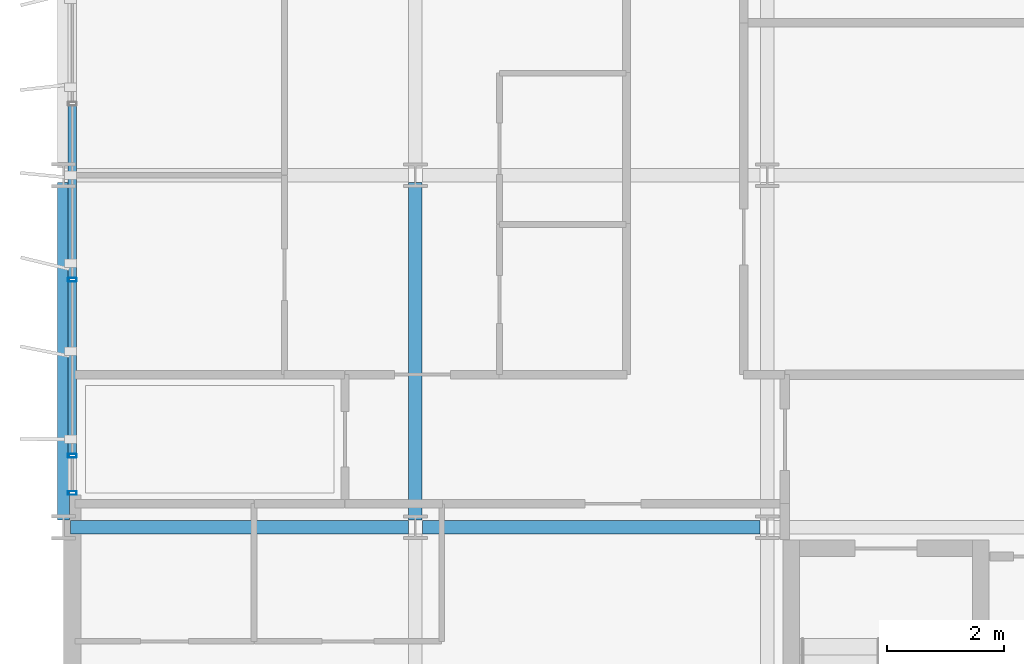
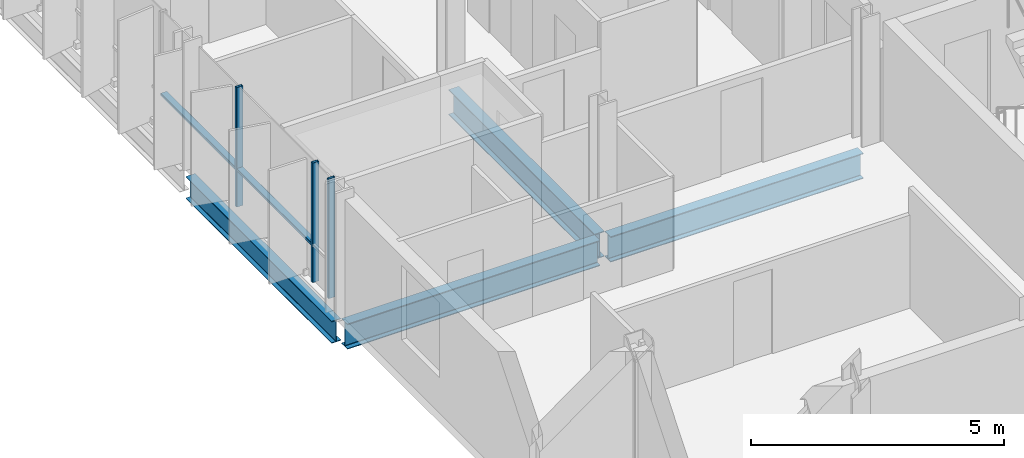
# One storey, part 2 of 38: 5 members, 4 beams, 1 element without a shape of its own.
"""IFC4 building model written with IfcOpenShell, lengths in metres."""

from ifc_helpers import new_model, si_unit, direction, frame, origin, origin_2d, place, context, subcontext, project, spatial, hollow_rectangle, i_section, extrude, material, layer, layer_set, material_profile, profile_set, type_object, element, aggregate, save


model = new_model("IFC4")

# Units and contexts
model_context = context("Model", 3, precision=1e-05, world=origin(), true_north=direction((0.0, 1.0)))
body_context = subcontext(model_context, "Body", "Model", "MODEL_VIEW")
ifc_project = project(units=[si_unit("LENGTHUNIT", "METRE"), si_unit("AREAUNIT", "SQUARE_METRE"), si_unit("VOLUMEUNIT", "CUBIC_METRE"), si_unit("PLANEANGLEUNIT", "RADIAN"), si_unit("MASSUNIT", "GRAM", prefix="KILO")], contexts=[model_context])

# Site, building, storey
site_placement = place(None, origin())
site = spatial("IfcSite", under=ifc_project, at=site_placement, CompositionType="ELEMENT")
building_placement = place(site_placement, origin())
building = spatial("IfcBuilding", under=site, at=building_placement, Name="Brevholm Reach", CompositionType="ELEMENT")
storey_placement = place(building_placement, frame((0.0, 0.0, 122.10009765625)))
storey = spatial("IfcBuildingStorey", under=building, at=storey_placement, Name="L36", CompositionType="ELEMENT", Elevation=122.10009765625)

# Beams
ifc_material_1 = material(Name="Structural Steel S355J2", Category="steel")
ifc_material_profile_1 = material_profile(ifc_material_1, i_section(OverallWidth=0.209228515625, OverallDepth=0.533203125, WebThickness=0.010009765625, FlangeThickness=0.015625, FilletRadius=0.0126953125, at=origin_2d()), Name="UKB 533x210x92")
ifc_profile_set_1 = profile_set([ifc_material_profile_1], Name="Structural Steel S355J2")
beam_type_1 = type_object("IfcBeamType", Name="BM-SP533", PredefinedType="SPANDREL", material=ifc_profile_set_1)
beam_placement = place(storey_placement, frame((0.0, 10.1201171875, -0.486572265625), z_axis=(0.0, 1.0, 0.0), x_axis=(-1.0, 0.0, 0.0)))
element("IfcBeam", 1, at=beam_placement, inside=storey, type_object=beam_type_1, Name="L36 SP-02 Framing Beam", PredefinedType="SPANDREL", context=body_context, shape_type="SweptSolid", body=[
    extrude(i_section(OverallWidth=0.209228515625, OverallDepth=0.533203125, WebThickness=0.010009765625, FlangeThickness=0.015625, FilletRadius=0.0126953125, at=origin_2d()), origin(), (0.0, 0.0, 1.0), 5.759765625),
])
ifc_material_2 = material(Name="Structural Steel S355J2", Category="steel")
ifc_material_profile_2 = material_profile(ifc_material_2, i_section(OverallWidth=0.22900390625, OverallDepth=0.6123046875, WebThickness=0.011962890625, FlangeThickness=0.01953125, FilletRadius=0.0126953125, at=origin_2d()), Name="UKB 610x229x125")
ifc_profile_set_2 = profile_set([ifc_material_profile_2], Name="Structural Steel S355J2")
beam_type_2 = type_object("IfcBeamType", Name="BM-SP610", PredefinedType="SPANDREL", material=ifc_profile_set_2)
for number, where, z_axis, x_axis, name in (
    (2, (0.1201171875, 10.0, -0.526123046875), (1.0, 0.0, 0.0), (0.0, 1.0, 0.0), "L36 SP-01 Framing Beam"),
    (3, (6.1201171875, 10.0, -0.526123046875), (1.0, 0.0, 0.0), (0.0, 1.0, 0.0), "L36 SP-01 Framing Beam"),
    (4, (6.0, 10.1201171875, -0.526123046875), (0.0, 1.0, 0.0), (-1.0, 0.0, 0.0), "L36 SP-01 Framing Beam"),
):
    element("IfcBeam", number, at=place(storey_placement, frame(where, z_axis=z_axis, x_axis=x_axis)), inside=storey, type_object=beam_type_2, Name=name, PredefinedType="SPANDREL", context=body_context, shape_type="SweptSolid", body=[
        extrude(i_section(OverallWidth=0.22900390625, OverallDepth=0.6123046875, WebThickness=0.011962890625, FlangeThickness=0.01953125, FilletRadius=0.0126953125, at=origin_2d()), origin(), (0.0, 0.0, 1.0), 5.759765625),
    ])

# Curtain wall, members
ifc_material_3 = material(Name="Dark Anodised Aluminium 6063-T6 and Solar-Control Glass", Category="aluminium")
ifc_layer = layer(ifc_material_3, 0.14990234375)
ifc_layer_set = layer_set([ifc_layer], Name="Dark Anodised Aluminium 6063-T6 and Solar-Control Glass")
curtain_wall_type = type_object("IfcCurtainWallType", Name="CW-01", PredefinedType="NOTDEFINED", material=ifc_layer_set)
curtain_wall_placement = place(storey_placement, origin())
curtain_wall = element("IfcCurtainWall", 5, at=curtain_wall_placement, inside=storey, type_object=curtain_wall_type, Name="L36 Curtain Wall CW-01", PredefinedType="NOTDEFINED")
ifc_material_4 = material(Name="Dark Anodised Aluminium 6063-T6", Category="aluminium")
ifc_material_profile_3 = material_profile(ifc_material_4, hollow_rectangle(XDim=0.06494140625, YDim=0.14990234375, WallThickness=0.0048828125, InnerFilletRadius=0.0048828125, OuterFilletRadius=0.010009765625, at=origin_2d()), Name="RHS 150x65x5")
ifc_profile_set_3 = profile_set([ifc_material_profile_3], Name="Dark Anodised Aluminium 6063-T6")
member_type_1 = type_object("IfcMemberType", Name="CWM-150", PredefinedType="MULLION", material=ifc_profile_set_3)
member_1_placement = place(storey_placement, frame((0.14990234375, 14.219970703125, 0.0), z_axis=(0.0, 0.0, 1.0), x_axis=(0.0, -1.0, 0.0)))
member_1 = element("IfcMember", 6, at=member_1_placement, type_object=member_type_1, Name="CM-150 Mullion 4", PredefinedType="MULLION", context=body_context, shape_type="SweptSolid", body=[
    extrude(hollow_rectangle(XDim=0.06494140625, YDim=0.14990234375, WallThickness=0.0048828125, InnerFilletRadius=0.0048828125, OuterFilletRadius=0.010009765625, at=origin_2d()), origin(), (0.0, 0.0, 1.0), 2.8798828125),
])
member_2_placement = place(storey_placement, frame((0.14990234375, 11.219970703125, 0.0), z_axis=(0.0, 0.0, 1.0), x_axis=(0.0, -1.0, 0.0)))
member_2 = element("IfcMember", 7, at=member_2_placement, type_object=member_type_1, Name="CM-150 Mullion 5", PredefinedType="MULLION", context=body_context, shape_type="SweptSolid", body=[
    extrude(hollow_rectangle(XDim=0.06494140625, YDim=0.14990234375, WallThickness=0.0048828125, InnerFilletRadius=0.0048828125, OuterFilletRadius=0.010009765625, at=origin_2d()), origin(), (0.0, 0.0, 1.0), 2.8798828125),
])
member_3_placement = place(storey_placement, frame((0.14990234375, 10.58251953125, 0.0), z_axis=(0.0, 0.0, 1.0), x_axis=(0.0, -1.0, 0.0)))
member_3 = element("IfcMember", 8, at=member_3_placement, type_object=member_type_1, Name="CM-150 Mullion 6", PredefinedType="MULLION", context=body_context, shape_type="SweptSolid", body=[
    extrude(hollow_rectangle(XDim=0.06494140625, YDim=0.14990234375, WallThickness=0.0048828125, InnerFilletRadius=0.0048828125, OuterFilletRadius=0.010009765625, at=origin_2d()), origin(), (0.0, 0.0, 1.0), 2.8798828125),
])
ifc_material_5 = material(Name="Dark Anodised Aluminium 6063-T6", Category="aluminium")
ifc_material_profile_4 = material_profile(ifc_material_5, hollow_rectangle(XDim=0.06494140625, YDim=0.14990234375, WallThickness=0.0048828125, InnerFilletRadius=0.0048828125, OuterFilletRadius=0.010009765625, at=origin_2d()), Name="RHS 150x65x5")
ifc_profile_set_4 = profile_set([ifc_material_profile_4], Name="Dark Anodised Aluminium 6063-T6")
member_type_2 = type_object("IfcMemberType", Name="CWT-150", PredefinedType="NOTDEFINED", material=ifc_profile_set_4)
member_4_placement = place(storey_placement, frame((0.14990234375, 17.1875, 0.89990234375), z_axis=(0.0, -1.0, 0.0), x_axis=(0.0, 0.0, 1.0)))
member_4 = element("IfcMember", 9, at=member_4_placement, type_object=member_type_2, Name="CT-150 Transom 3.1", ObjectType="TRANSOM", PredefinedType="USERDEFINED", context=body_context, shape_type="SweptSolid", body=[
    extrude(hollow_rectangle(XDim=0.06494140625, YDim=0.14990234375, WallThickness=0.0048828125, InnerFilletRadius=0.0048828125, OuterFilletRadius=0.010009765625, at=origin_2d()), origin(), (0.0, 0.0, 1.0), 2.93505859375),
])
member_5_placement = place(storey_placement, frame((0.14990234375, 14.1875, 0.89990234375), z_axis=(0.0, -1.0, 0.0), x_axis=(0.0, 0.0, 1.0)))
member_5 = element("IfcMember", 10, at=member_5_placement, type_object=member_type_2, Name="CT-150 Transom 4.1", ObjectType="TRANSOM", PredefinedType="USERDEFINED", context=body_context, shape_type="SweptSolid", body=[
    extrude(hollow_rectangle(XDim=0.06494140625, YDim=0.14990234375, WallThickness=0.0048828125, InnerFilletRadius=0.0048828125, OuterFilletRadius=0.010009765625, at=origin_2d()), origin(), (0.0, 0.0, 1.0), 2.93505859375),
])
aggregate(curtain_wall, [member_1, member_2, member_3, member_4, member_5])

save(model, "model.ifc")
